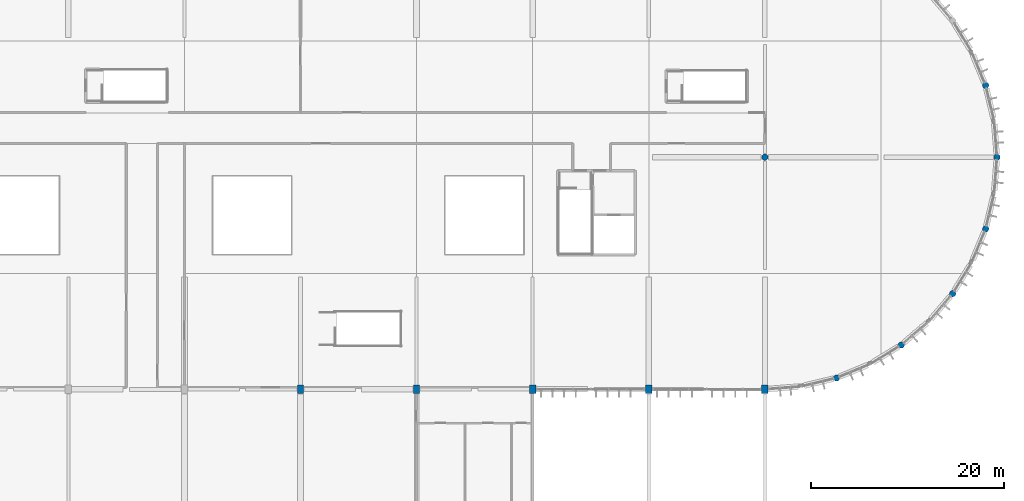
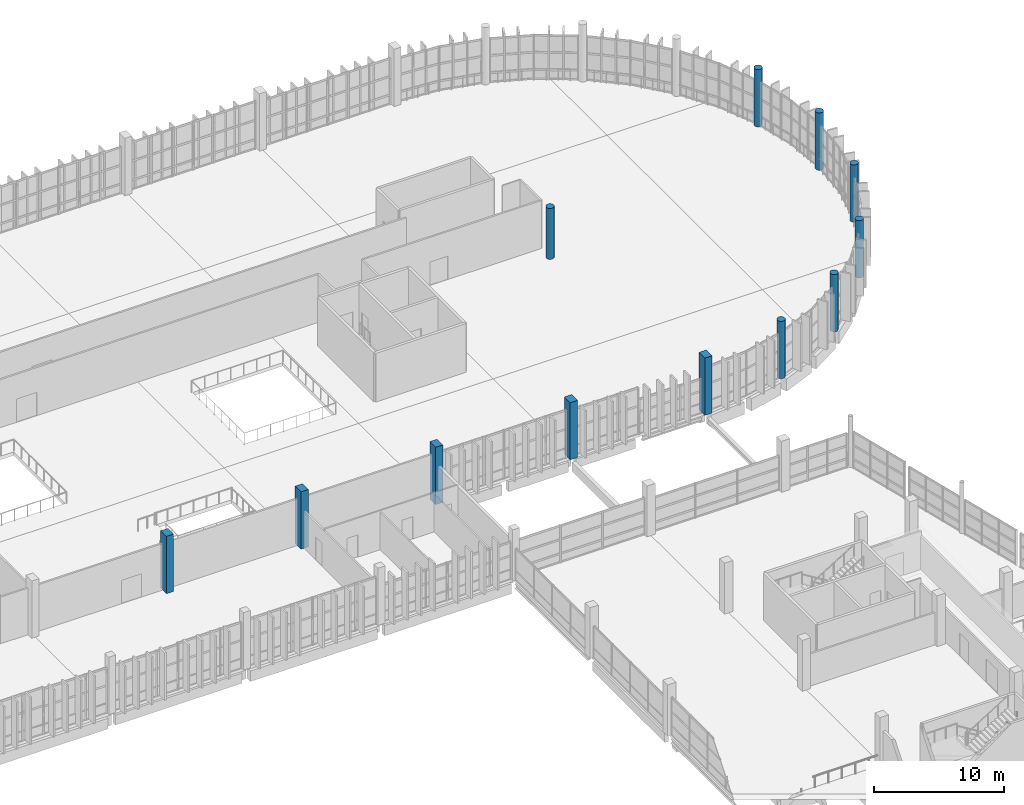
# One storey, part 14 of 112: 12 columns.
"""IFC4 building model written with IfcOpenShell, lengths in metres."""

from ifc_helpers import new_model, si_unit, direction, frame, origin, origin_2d, place, context, subcontext, project, spatial, rectangle, circle, extrude, material, material_profile, profile_set, type_object, element, save


model = new_model("IFC4")

# Units and contexts
model_context = context("Model", 3, precision=1e-05, world=origin(), true_north=direction((0.0, 1.0)))
body_context = subcontext(model_context, "Body", "Model", "MODEL_VIEW")
ifc_project = project(units=[si_unit("LENGTHUNIT", "METRE"), si_unit("AREAUNIT", "SQUARE_METRE"), si_unit("VOLUMEUNIT", "CUBIC_METRE"), si_unit("PLANEANGLEUNIT", "RADIAN"), si_unit("MASSUNIT", "GRAM", prefix="KILO")], contexts=[model_context])

# Site, building, storey
site_placement = place(None, origin())
site = spatial("IfcSite", under=ifc_project, at=site_placement, CompositionType="ELEMENT")
building_placement = place(site_placement, origin())
building = spatial("IfcBuilding", under=site, at=building_placement, Name="Kamomehara Wholesale Market", CompositionType="ELEMENT")
storey_placement = place(building_placement, frame((0.0, 0.0, 6.60009765625)))
storey = spatial("IfcBuildingStorey", under=building, at=storey_placement, Name="L01", CompositionType="ELEMENT", Elevation=6.60009765625)

# Columns
ifc_material_1 = material(Name="Precast concrete Fc45 (C40/50)", Category="concrete")
ifc_material_profile_1 = material_profile(ifc_material_1, circle(Radius=0.324951171875, at=origin_2d()), Name="PC-ARC-D650")
ifc_profile_set_1 = profile_set([ifc_material_profile_1], Name="Precast concrete Fc45 (C40/50)")
column_type_1 = type_object("IfcColumnType", Name="COL-ARC650", PredefinedType="COLUMN", material=ifc_profile_set_1)
column_placement = place(storey_placement, frame((180.0, 132.0, 0.0), z_axis=(0.0, 0.0, 1.0), x_axis=(1.0, 0.0, 0.0)))
element("IfcColumn", 1, at=column_placement, inside=storey, type_object=column_type_1, Name="Column CA-01 L01", PredefinedType="COLUMN", context=body_context, shape_type="SweptSolid", body=[
    extrude(circle(Radius=0.324951171875, at=origin_2d()), origin(), (0.0, 0.0, 1.0), 4.7998046875),
])
for number, where, z_axis, x_axis, name in (
    (2, (187.416015625, 109.175048828125, 0.0), (0.0, 0.0, 1.0), (1.0, 0.0, 0.0), "Column CA-01 L01"),
    (3, (194.10693359375, 112.583984375, 0.0), (0.0, 0.0, 1.0), (1.0, 0.0, 0.0), "Column CA-01 L01"),
    (4, (199.416015625, 117.89306640625, 0.0), (0.0, 0.0, 1.0), (1.0, 0.0, 0.0), "Column CA-01 L01"),
    (5, (202.824951171875, 124.583984375, 0.0), (0.0, 0.0, 1.0), (1.0, 0.0, 0.0), "Column CA-01 L01"),
    (6, (202.824951171875, 139.416015625, 0.0), (0.0, 0.0, 1.0), (1.0, 0.0, 0.0), "Column CA-01 L01"),
    (7, (204.0, 132.0, 0.0), (0.0, 0.0, 1.0), (1.0, 0.0, 0.0), "Column CA-01 L01"),
):
    element("IfcColumn", number, at=place(storey_placement, frame(where, z_axis=z_axis, x_axis=x_axis)), inside=storey, type_object=column_type_1, Name=name, PredefinedType="COLUMN", context=body_context, shape_type="SweptSolid", body=[
        extrude(circle(Radius=0.324951171875, at=origin_2d()), origin(), (0.0, 0.0, 1.0), 5.39990234375),
    ])
ifc_material_2 = material(Name="Precast concrete Fc45 (C40/50)", Category="concrete")
ifc_material_profile_2 = material_profile(ifc_material_2, rectangle(XDim=0.64990234375, YDim=0.89990234375, at=origin_2d()), Name="PC-COL-650x900")
ifc_profile_set_2 = profile_set([ifc_material_profile_2], Name="Precast concrete Fc45 (C40/50)")
column_type_2 = type_object("IfcColumnType", Name="COL-PCR900-EXT", PredefinedType="COLUMN", material=ifc_profile_set_2)
for number, where, z_axis, x_axis, name in (
    (8, (132.0, 108.0, 0.0), (0.0, 0.0, 1.0), (1.0, 0.0, 0.0), "Column C-10E L01"),
    (9, (144.0, 108.0, 0.0), (0.0, 0.0, 1.0), (1.0, 0.0, 0.0), "Column C-10E L01"),
    (10, (156.0, 108.0, 0.0), (0.0, 0.0, 1.0), (1.0, 0.0, 0.0), "Column C-10E L01"),
    (11, (168.0, 108.0, 0.0), (0.0, 0.0, 1.0), (1.0, 0.0, 0.0), "Column C-10E L01"),
    (12, (180.0, 108.0, 0.0), (0.0, 0.0, 1.0), (1.0, 0.0, 0.0), "Column C-10E L01"),
):
    element("IfcColumn", number, at=place(storey_placement, frame(where, z_axis=z_axis, x_axis=x_axis)), inside=storey, type_object=column_type_2, Name=name, PredefinedType="COLUMN", context=body_context, shape_type="SweptSolid", body=[
        extrude(rectangle(XDim=0.64990234375, YDim=0.89990234375, at=origin_2d()), origin(), (0.0, 0.0, 1.0), 5.39990234375),
    ])

save(model, "model.ifc")
